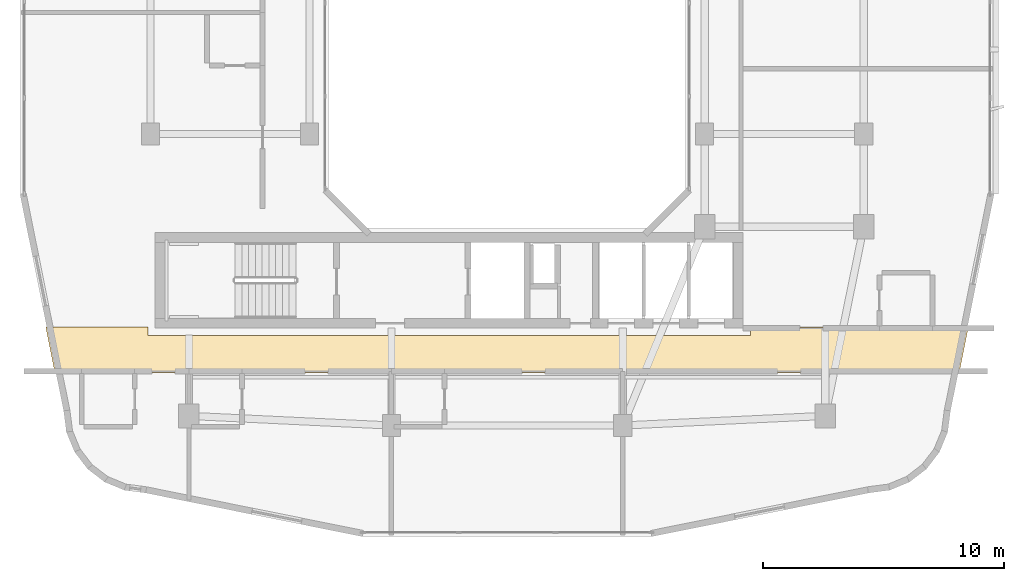
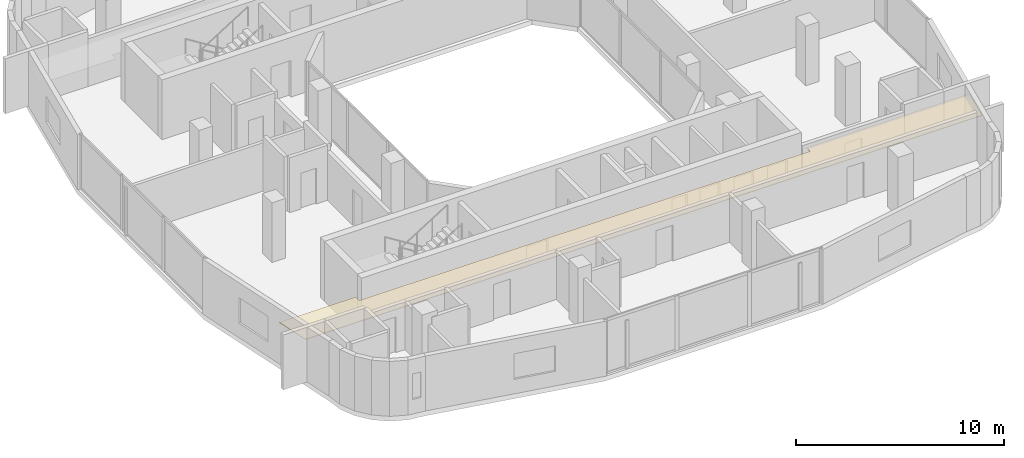
# One storey, part 12 of 14: 1 covering.
"""IFC4 building model written with IfcOpenShell, lengths in metres."""

from ifc_helpers import new_model, si_unit, derived_unit, direction, frame, origin, place, context, subcontext, project, spatial, polyline, outline, extrude, material, layer, layer_set, type_object, element, save


model = new_model("IFC4")

# Units and contexts
model_context = context("Model", 3, precision=1e-05, world=origin(), true_north=direction((0.0, 1.0)))
body_context = subcontext(model_context, "Body", "Model", "MODEL_VIEW")
ifc_project = project(units=[si_unit("LENGTHUNIT", "METRE"), si_unit("AREAUNIT", "SQUARE_METRE"), si_unit("VOLUMEUNIT", "CUBIC_METRE"), si_unit("PLANEANGLEUNIT", "RADIAN"), si_unit("MASSUNIT", "GRAM", prefix="KILO"), derived_unit("THERMALTRANSMITTANCEUNIT", [(si_unit("POWERUNIT", "WATT"), 1), (si_unit("LENGTHUNIT", "METRE"), -2), (si_unit("THERMODYNAMICTEMPERATUREUNIT", "KELVIN"), -1)])], contexts=[model_context])

# Site, building, storey
site_placement = place(None, origin())
site = spatial("IfcSite", under=ifc_project, at=site_placement, CompositionType="ELEMENT")
building_placement = place(site_placement, origin())
building = spatial("IfcBuilding", under=site, at=building_placement, Name="Kivonza Crest Hotel", CompositionType="ELEMENT")
storey_placement = place(building_placement, frame((0.0, 0.0, 148.5)))
storey = spatial("IfcBuildingStorey", under=building, at=storey_placement, Name="L40", CompositionType="ELEMENT", Elevation=148.5)

# Covering
ifc_material = material(Name="Moisture-resistant gypsum plasterboard ceiling", Category="gypsum")
ifc_layer = layer(ifc_material, 0.030029296875)
ifc_layer_set = layer_set([ifc_layer], Name="Moisture-resistant gypsum plasterboard ceiling")
covering_type = type_object("IfcCoveringType", Name="CV-CEIL-GYP", PredefinedType="CEILING", material=ifc_layer_set)
covering_placement = place(storey_placement, frame((0.0, 0.0, 2.449951171875)))
element("IfcCovering", 1, at=covering_placement, inside=storey, type_object=covering_type, Name="L40 Hotel South Guest Corridor suspended ceiling", PredefinedType="CEILING", context=body_context, shape_type="SweptSolid", body=[
    extrude(outline(polyline([(1.85791015625, 13.47998046875), (2.235107421875, 11.610107421875), (39.764892578125, 11.610107421875), (40.14208984375, 13.47998046875), (31.10009765625, 13.47998046875), (31.10009765625, 13.139892578125), (6.10009765625, 13.139892578125), (6.10009765625, 13.47998046875), (1.85791015625, 13.47998046875)])), origin(), (0.0, 0.0, 1.0), 0.030029296875),
])

save(model, "model.ifc")
